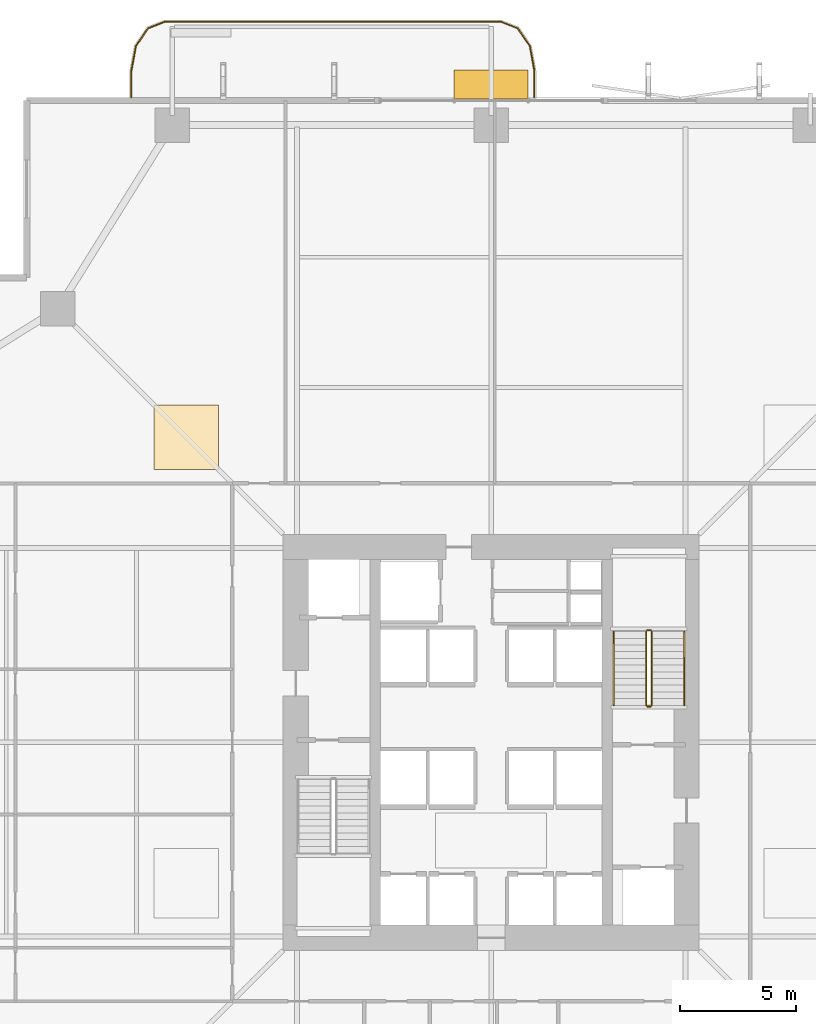
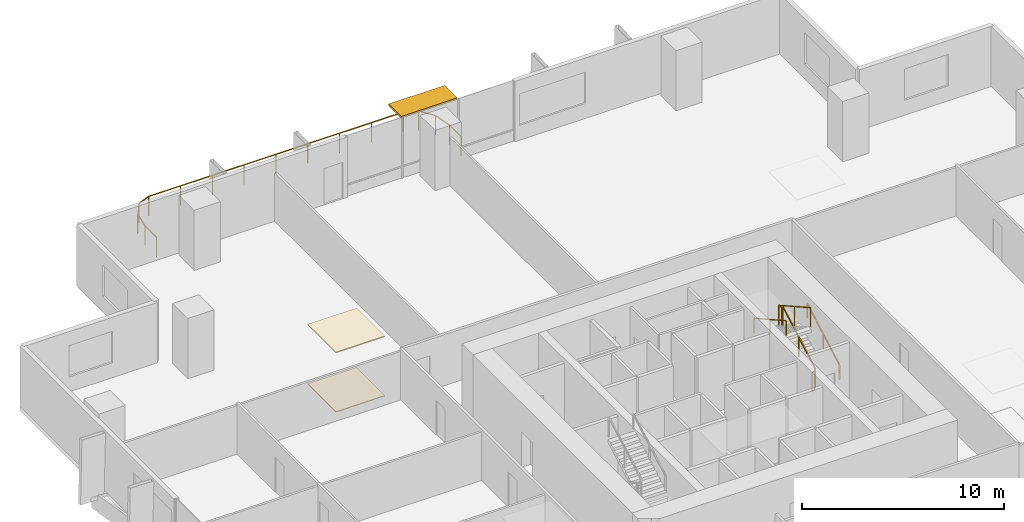
# One storey, part 23 of 24: 7 railings, 2 coverings, 1 shading device.
"""IFC4 building model written with IfcOpenShell, lengths in metres."""

from ifc_helpers import new_model, si_unit, direction, frame, origin, origin_2d, place, context, subcontext, project, spatial, polyline, rectangle, outline, extrude, material, layer, layer_set, type_object, element, save


model = new_model("IFC4")

# Units and contexts
model_context = context("Model", 3, precision=1e-05, world=origin(), true_north=direction((0.0, 1.0)))
body_context = subcontext(model_context, "Body", "Model", "MODEL_VIEW")
ifc_project = project(units=[si_unit("LENGTHUNIT", "METRE"), si_unit("AREAUNIT", "SQUARE_METRE"), si_unit("VOLUMEUNIT", "CUBIC_METRE"), si_unit("PLANEANGLEUNIT", "RADIAN"), si_unit("MASSUNIT", "GRAM", prefix="KILO")], contexts=[model_context])

# Site, building, storey
site_placement = place(None, origin())
site = spatial("IfcSite", under=ifc_project, at=site_placement, CompositionType="ELEMENT")
building_placement = place(site_placement, origin())
building = spatial("IfcBuilding", under=site, at=building_placement, Name="Belovzor Exchange Tower", CompositionType="ELEMENT")
storey_placement = place(building_placement, frame((0.0, 0.0, 80.699951171875)))
storey = spatial("IfcBuildingStorey", under=building, at=storey_placement, Name="L19", CompositionType="ELEMENT", Elevation=80.699951171875)

# Railings
ifc_material_1 = material(Name="Stainless Steel Grade 304", Category="steel")
railing_type_1 = type_object("IfcRailingType", Name="Brushed Stainless Steel Stair Handrail 900", PredefinedType="HANDRAIL", material=ifc_material_1)
railing_1_placement = place(storey_placement, frame((37.14990234375, 30.39990234375, 0.16259765625)))
element("IfcRailing", 1, at=railing_1_placement, inside=storey, type_object=railing_type_1, Name="L19 ST-2 stair handrail 1", PredefinedType="HANDRAIL", context=body_context, shape_type="SweptSolid", body=[
    extrude(rectangle(XDim=0.048095703125, YDim=0.048095703125, at=origin_2d()), frame((0.0, 0.0, 0.8759765625), z_axis=(0.0, 0.872406949647, 0.488780230991), x_axis=(-1.0, 0.0, 0.0)), (0.0, 0.0, 1.0), 3.65673828125),
    extrude(rectangle(XDim=0.0419921875, YDim=0.0419921875, at=origin_2d()), origin(), (0.0, 0.0, 1.0), 0.851806640625),
    extrude(rectangle(XDim=0.0419921875, YDim=0.0419921875, at=origin_2d()), frame((0.0, 1.59521484375, 0.8935546875)), (0.0, 0.0, 1.0), 0.851806640625),
    extrude(rectangle(XDim=0.0419921875, YDim=0.0419921875, at=origin_2d()), frame((0.0, 3.190185546875, 1.787353515625)), (0.0, 0.0, 1.0), 0.851806640625),
])
railing_2_placement = place(storey_placement, frame((34.10009765625, 33.590087890625, 2.112548828125)))
element("IfcRailing", 2, at=railing_2_placement, inside=storey, type_object=railing_type_1, Name="L19 ST-2 stair handrail 2", PredefinedType="HANDRAIL", context=body_context, shape_type="SweptSolid", body=[
    extrude(rectangle(XDim=0.048095703125, YDim=0.048095703125, at=origin_2d()), frame((0.0, 0.0, 0.8759765625), z_axis=(0.0, -0.87237847985, 0.488831042279), x_axis=(1.0, 0.0, 0.0)), (0.0, 0.0, 1.0), 3.656982421875),
    extrude(rectangle(XDim=0.0419921875, YDim=0.0419921875, at=origin_2d()), origin(), (0.0, 0.0, 1.0), 0.851806640625),
    extrude(rectangle(XDim=0.0419921875, YDim=0.0419921875, at=origin_2d()), frame((0.0, -1.59521484375, 0.893798828125)), (0.0, 0.0, 1.0), 0.851806640625),
    extrude(rectangle(XDim=0.0419921875, YDim=0.0419921875, at=origin_2d()), frame((0.0, -3.190185546875, 1.78759765625)), (0.0, 0.0, 1.0), 0.851806640625),
])
ifc_material_2 = material(Name="Stainless Steel and Laminated Safety Glass", Category="steel")
railing_type_2 = type_object("IfcRailingType", Name="Laminated Glass & Stainless Steel Balcony Balustrade 1200", PredefinedType="BALUSTRADE", material=ifc_material_2)
railing_3_placement = place(storey_placement, frame((30.669921875, 56.7099609375, 0.0)))
element("IfcRailing", 3, at=railing_3_placement, inside=storey, type_object=railing_type_2, Name="GR-1 Balcony Balustrade L19 North", PredefinedType="BALUSTRADE", context=body_context, shape_type="SweptSolid", body=[
    extrude(rectangle(XDim=0.048095703125, YDim=0.048095703125, at=origin_2d()), frame((0.0, 0.0, 1.17578125), z_axis=(0.0, 1.0, 0.0), x_axis=(-1.0, 0.0, 0.0)), (0.0, 0.0, 1.0), 1.133056640625),
    extrude(rectangle(XDim=0.048095703125, YDim=0.048095703125, at=origin_2d()), frame((0.0, 1.133056640625, 1.17578125), z_axis=(-0.180122719713, 0.983644145941, 0.0), x_axis=(-0.983644145941, -0.180122719713, 0.0)), (0.0, 0.0, 1.0), 1.09375),
    extrude(rectangle(XDim=0.048095703125, YDim=0.048095703125, at=origin_2d()), frame((-0.197021484375, 2.208984375, 1.17578125), z_axis=(-0.562768145367, 0.826614792125, 0.0), x_axis=(-0.826614792125, -0.562768145367, 0.0)), (0.0, 0.0, 1.0), 0.9326171875),
    extrude(rectangle(XDim=0.048095703125, YDim=0.048095703125, at=origin_2d()), frame((-0.721923828125, 2.97998046875, 1.17578125), z_axis=(-0.930766990125, 0.365612923861, 0.0), x_axis=(-0.365612923861, -0.930766990125, 0.0)), (0.0, 0.0, 1.0), 0.765869140625),
    extrude(rectangle(XDim=0.048095703125, YDim=0.048095703125, at=origin_2d()), frame((-1.434814453125, 3.260009765625, 1.17578125), z_axis=(-1.0, 0.0, 0.0), x_axis=(0.0, -1.0, 0.0)), (0.0, 0.0, 1.0), 14.570068359375),
    extrude(rectangle(XDim=0.048095703125, YDim=0.048095703125, at=origin_2d()), frame((-16.0048828125, 3.260009765625, 1.17578125), z_axis=(-0.930809580156, -0.365504480807, 0.0), x_axis=(0.365504480807, -0.930809580156, 0.0)), (0.0, 0.0, 1.0), 0.76611328125),
    extrude(rectangle(XDim=0.048095703125, YDim=0.048095703125, at=origin_2d()), frame((-16.718017578125, 2.97998046875, 1.17578125), z_axis=(-0.562768145367, -0.826614792125, 0.0), x_axis=(0.826614792125, -0.562768145367, 0.0)), (0.0, 0.0, 1.0), 0.9326171875),
    extrude(rectangle(XDim=0.048095703125, YDim=0.048095703125, at=origin_2d()), frame((-17.242919921875, 2.208984375, 1.17578125), z_axis=(-0.180122719713, -0.983644145941, 0.0), x_axis=(0.983644145941, -0.180122719713, 0.0)), (0.0, 0.0, 1.0), 1.09375),
    extrude(rectangle(XDim=0.048095703125, YDim=0.048095703125, at=origin_2d()), frame((-17.43994140625, 1.133056640625, 1.17578125), z_axis=(0.0, -1.0, 0.0), x_axis=(1.0, 0.0, 0.0)), (0.0, 0.0, 1.0), 1.133056640625),
    extrude(rectangle(XDim=0.0419921875, YDim=0.0419921875, at=origin_2d()), origin(), (0.0, 0.0, 1.0), 1.15185546875),
    extrude(rectangle(XDim=0.0419921875, YDim=0.0419921875, at=origin_2d()), frame((0.0, 1.133056640625, 0.0)), (0.0, 0.0, 1.0), 1.15185546875),
    extrude(rectangle(XDim=0.0419921875, YDim=0.0419921875, at=origin_2d()), frame((-0.197021484375, 2.208984375, 0.0)), (0.0, 0.0, 1.0), 1.15185546875),
    extrude(rectangle(XDim=0.0419921875, YDim=0.0419921875, at=origin_2d()), frame((-0.721923828125, 2.97998046875, 0.0)), (0.0, 0.0, 1.0), 1.15185546875),
    extrude(rectangle(XDim=0.0419921875, YDim=0.0419921875, at=origin_2d()), frame((-1.434814453125, 3.260009765625, 0.0)), (0.0, 0.0, 1.0), 1.15185546875),
    extrude(rectangle(XDim=0.0419921875, YDim=0.0419921875, at=origin_2d()), frame((-3.256103515625, 3.260009765625, 0.0)), (0.0, 0.0, 1.0), 1.15185546875),
    extrude(rectangle(XDim=0.0419921875, YDim=0.0419921875, at=origin_2d()), frame((-5.077392578125, 3.260009765625, 0.0)), (0.0, 0.0, 1.0), 1.15185546875),
    extrude(rectangle(XDim=0.0419921875, YDim=0.0419921875, at=origin_2d()), frame((-6.898681640625, 3.260009765625, 0.0)), (0.0, 0.0, 1.0), 1.15185546875),
    extrude(rectangle(XDim=0.0419921875, YDim=0.0419921875, at=origin_2d()), frame((-8.7197265625, 3.260009765625, 0.0)), (0.0, 0.0, 1.0), 1.15185546875),
    extrude(rectangle(XDim=0.0419921875, YDim=0.0419921875, at=origin_2d()), frame((-10.541015625, 3.260009765625, 0.0)), (0.0, 0.0, 1.0), 1.15185546875),
    extrude(rectangle(XDim=0.0419921875, YDim=0.0419921875, at=origin_2d()), frame((-12.3623046875, 3.260009765625, 0.0)), (0.0, 0.0, 1.0), 1.15185546875),
    extrude(rectangle(XDim=0.0419921875, YDim=0.0419921875, at=origin_2d()), frame((-14.18359375, 3.260009765625, 0.0)), (0.0, 0.0, 1.0), 1.15185546875),
    extrude(rectangle(XDim=0.0419921875, YDim=0.0419921875, at=origin_2d()), frame((-16.0048828125, 3.260009765625, 0.0)), (0.0, 0.0, 1.0), 1.15185546875),
    extrude(rectangle(XDim=0.0419921875, YDim=0.0419921875, at=origin_2d()), frame((-16.718017578125, 2.97998046875, 0.0)), (0.0, 0.0, 1.0), 1.15185546875),
    extrude(rectangle(XDim=0.0419921875, YDim=0.0419921875, at=origin_2d()), frame((-17.242919921875, 2.208984375, 0.0)), (0.0, 0.0, 1.0), 1.15185546875),
    extrude(rectangle(XDim=0.0419921875, YDim=0.0419921875, at=origin_2d()), frame((-17.43994140625, 1.133056640625, 0.0)), (0.0, 0.0, 1.0), 1.15185546875),
    extrude(rectangle(XDim=0.0419921875, YDim=0.0419921875, at=origin_2d()), frame((-17.43994140625, 0.0, 0.0)), (0.0, 0.0, 1.0), 1.15185546875),
])
ifc_material_3 = material(Name="Steel S355", Category="steel")
railing_type_3 = type_object("IfcRailingType", Name="Painted Steel Stairwell Guardrail 1200", PredefinedType="GUARDRAIL", material=ifc_material_3)
railing_4_placement = place(storey_placement, frame((35.75, 30.39990234375, 0.16259765625)))
element("IfcRailing", 4, at=railing_4_placement, inside=storey, type_object=railing_type_3, Name="L19 ST-2 stair guard 1", PredefinedType="GUARDRAIL", context=body_context, shape_type="SweptSolid", body=[
    extrude(rectangle(XDim=0.048095703125, YDim=0.048095703125, at=origin_2d()), frame((0.0, 0.0, 1.17578125), z_axis=(0.0, 0.872406949647, 0.488780230991), x_axis=(-1.0, 0.0, 0.0)), (0.0, 0.0, 1.0), 3.65673828125),
    extrude(rectangle(XDim=0.0419921875, YDim=0.0419921875, at=origin_2d()), origin(), (0.0, 0.0, 1.0), 1.15185546875),
    extrude(rectangle(XDim=0.0419921875, YDim=0.0419921875, at=origin_2d()), frame((0.0, 1.59521484375, 0.8935546875)), (0.0, 0.0, 1.0), 1.15185546875),
    extrude(rectangle(XDim=0.0419921875, YDim=0.0419921875, at=origin_2d()), frame((0.0, 3.190185546875, 1.787353515625)), (0.0, 0.0, 1.0), 1.15185546875),
])
railing_5_placement = place(storey_placement, frame((35.699951171875, 33.639892578125, 1.949951171875)))
element("IfcRailing", 5, at=railing_5_placement, inside=storey, type_object=railing_type_3, Name="L19 ST-2 stair guard 2", PredefinedType="GUARDRAIL", context=body_context, shape_type="SweptSolid", body=[
    extrude(rectangle(XDim=0.048095703125, YDim=0.048095703125, at=origin_2d()), frame((0.0, 0.0, 1.17578125), z_axis=(-1.0, 0.0, 0.0), x_axis=(0.0, -1.0, 0.0)), (0.0, 0.0, 1.0), 0.14990234375),
    extrude(rectangle(XDim=0.0419921875, YDim=0.0419921875, at=origin_2d()), origin(), (0.0, 0.0, 1.0), 1.15185546875),
    extrude(rectangle(XDim=0.0419921875, YDim=0.0419921875, at=origin_2d()), frame((-0.14990234375, 0.0, 0.0)), (0.0, 0.0, 1.0), 1.15185546875),
])
railing_6_placement = place(storey_placement, frame((35.5, 33.590087890625, 2.112548828125)))
element("IfcRailing", 6, at=railing_6_placement, inside=storey, type_object=railing_type_3, Name="L19 ST-2 stair guard 3", PredefinedType="GUARDRAIL", context=body_context, shape_type="SweptSolid", body=[
    extrude(rectangle(XDim=0.048095703125, YDim=0.048095703125, at=origin_2d()), frame((0.0, 0.0, 1.17578125), z_axis=(0.0, -0.87237847985, 0.488831042279), x_axis=(1.0, 0.0, 0.0)), (0.0, 0.0, 1.0), 3.656982421875),
    extrude(rectangle(XDim=0.0419921875, YDim=0.0419921875, at=origin_2d()), origin(), (0.0, 0.0, 1.0), 1.15185546875),
    extrude(rectangle(XDim=0.0419921875, YDim=0.0419921875, at=origin_2d()), frame((0.0, -1.59521484375, 0.893798828125)), (0.0, 0.0, 1.0), 1.15185546875),
    extrude(rectangle(XDim=0.0419921875, YDim=0.0419921875, at=origin_2d()), frame((0.0, -3.190185546875, 1.78759765625)), (0.0, 0.0, 1.0), 1.15185546875),
])
railing_7_placement = place(storey_placement, frame((35.699951171875, 30.35009765625, 0.0)))
element("IfcRailing", 7, at=railing_7_placement, inside=storey, type_object=railing_type_3, Name="L19 ST-2 stair guard 4", PredefinedType="GUARDRAIL", context=body_context, shape_type="SweptSolid", body=[
    extrude(rectangle(XDim=0.048095703125, YDim=0.048095703125, at=origin_2d()), frame((0.0, 0.0, 1.17578125), z_axis=(-1.0, 0.0, 0.0), x_axis=(0.0, -1.0, 0.0)), (0.0, 0.0, 1.0), 0.14990234375),
    extrude(rectangle(XDim=0.0419921875, YDim=0.0419921875, at=origin_2d()), origin(), (0.0, 0.0, 1.0), 1.15185546875),
    extrude(rectangle(XDim=0.0419921875, YDim=0.0419921875, at=origin_2d()), frame((-0.14990234375, 0.0, 0.0)), (0.0, 0.0, 1.0), 1.15185546875),
])

# Coverings
ifc_material_4 = material(Name="Perforated Powder-Coated Aluminium", Category="aluminium")
ifc_layer_1 = layer(ifc_material_4, 0.06005859375)
ifc_layer_set_1 = layer_set([ifc_layer_1], Name="Perforated Powder-Coated Aluminium")
covering_type_1 = type_object("IfcCoveringType", Name="Perforated Acoustic Metal Tile Suspended Ceiling 60", PredefinedType="CEILING", material=ifc_layer_set_1)
covering_1_placement = place(storey_placement, frame((0.0, 0.0, 3.590087890625)))
element("IfcCovering", 8, at=covering_1_placement, inside=storey, type_object=covering_type_1, Name="CLG-AC60 Suspended Ceiling CLG-L19-Z2", PredefinedType="CEILING", context=body_context, shape_type="SweptSolid", body=[
    extrude(outline(polyline([(14.199951171875, 40.60009765625), (17.0, 40.60009765625), (17.0, 43.39990234375), (14.199951171875, 43.39990234375), (14.199951171875, 40.60009765625)])), origin(), (0.0, 0.0, 1.0), 0.06005859375),
])
ifc_material_5 = material(Name="Polished Natural Granite Tile", Category="masonry")
ifc_layer_2 = layer(ifc_material_5, 0.050048828125)
ifc_layer_set_2 = layer_set([ifc_layer_2], Name="Polished Natural Granite Tile")
covering_type_2 = type_object("IfcCoveringType", Name="Polished Karelian Granite & Raised Access Floor Finish 50", PredefinedType="FLOORING", material=ifc_layer_set_2)
covering_2_placement = place(storey_placement, origin())
element("IfcCovering", 9, at=covering_2_placement, inside=storey, type_object=covering_type_2, Name="FLR-GR50 Floor Finish FLR-L19-Z2", PredefinedType="FLOORING", context=body_context, shape_type="SweptSolid", body=[
    extrude(outline(polyline([(14.199951171875, 40.60009765625), (17.0, 40.60009765625), (17.0, 43.39990234375), (14.199951171875, 43.39990234375), (14.199951171875, 40.60009765625)])), origin(), (0.0, 0.0, 1.0), 0.050048828125),
])

# Shading device
ifc_material_6 = material(Name="Extruded Architectural Terracotta", Category="masonry")
ifc_layer_3 = layer(ifc_material_6, 0.1201171875)
ifc_layer_set_3 = layer_set([ifc_layer_3], Name="Extruded Architectural Terracotta")
shading_device_type = type_object("IfcShadingDeviceType", Name="Streamline Terracotta Horizontal Sunshade Hood 1250", PredefinedType="AWNING", material=ifc_layer_set_3)
shading_device_placement = place(storey_placement, frame((28.800048828125, 57.264892578125, 3.530029296875), z_axis=(0.0, 0.0, 1.0), x_axis=(1.0, 0.0, 0.0)))
element("IfcShadingDevice", 10, at=shading_device_placement, inside=storey, type_object=shading_device_type, Name="SHD-TC125 Terracotta Sunshade L19 N", PredefinedType="AWNING", context=body_context, shape_type="SweptSolid", body=[
    extrude(rectangle(XDim=3.199951171875, YDim=1.25, at=origin_2d()), origin(), (0.0, 0.0, 1.0), 0.1201171875),
])

save(model, "model.ifc")
